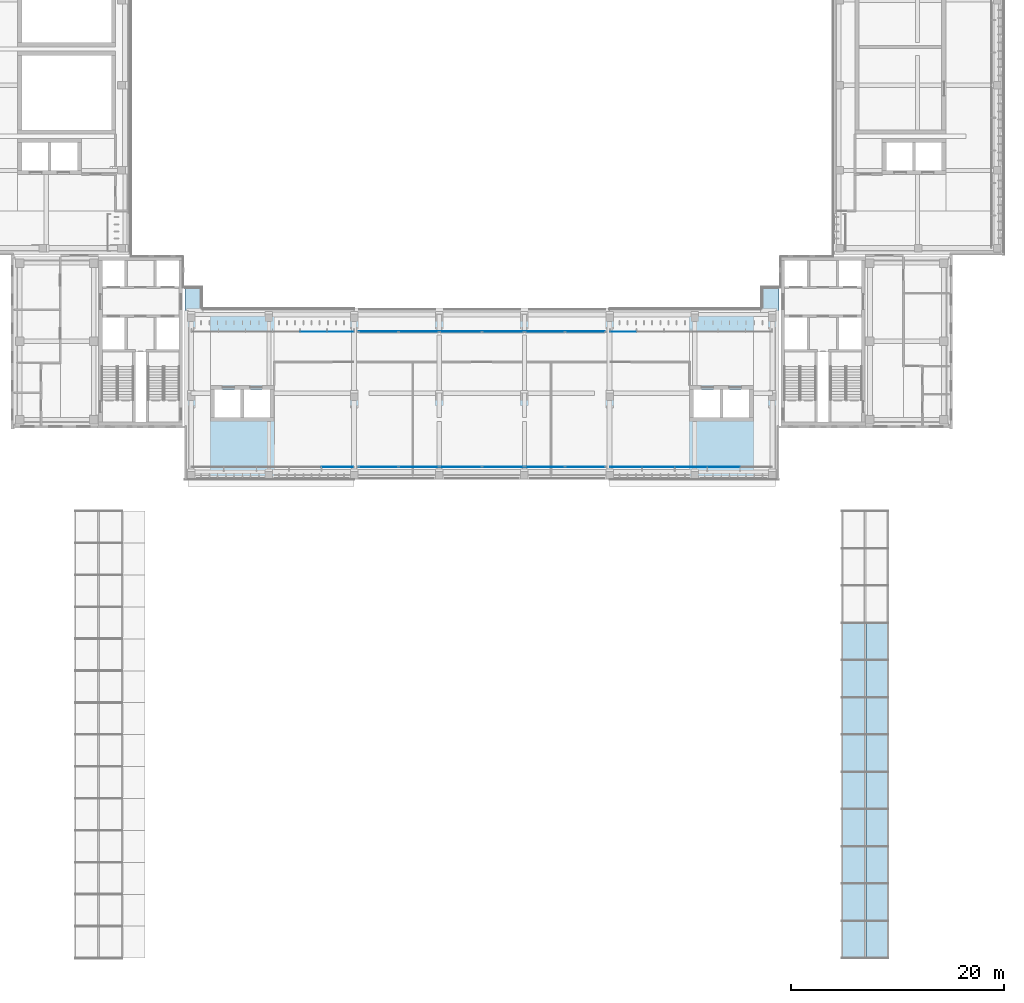
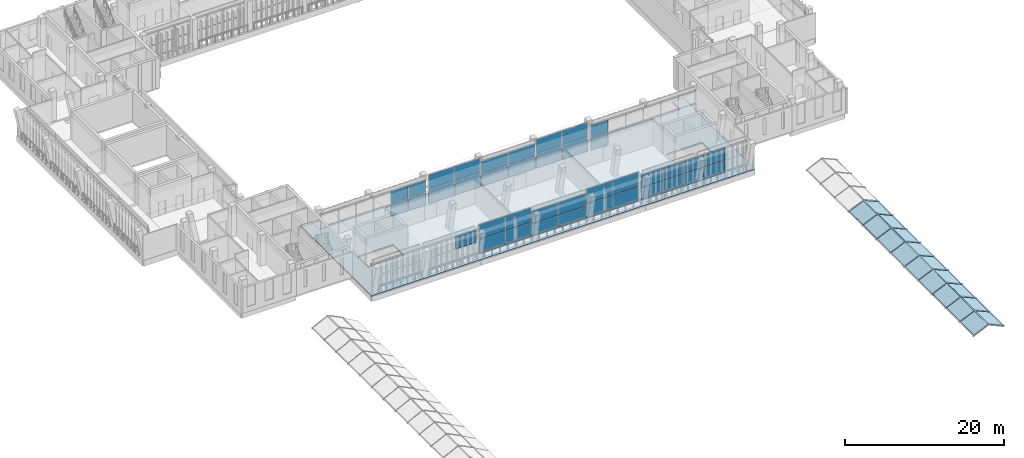
# One storey, part 38 of 73: 57 plates, 1 slab, 11 elements without a shape of their own.
"""IFC4 building model written with IfcOpenShell, lengths in metres."""

import ifcopenshell
import ifcopenshell.guid

model = None  # the IFC model being written
_history = None  # IfcOwnerHistory: only IFC2X3 demands one
_inside = {}  # id of a spatial element -> (the spatial element, [elements in it])
_under = {}  # id of a project, library or spatial element -> (it, [spatial elements below it])
_declared = {}  # id of a project -> (the project, [libraries it declares])
_typed = {}  # id of a type object -> (the type object, [elements of that type])
_made_of = {}  # id of a material, layer set ... -> (it, [elements and type objects made of it])


def new_model(schema):
    """Start an empty IFC model of exactly this schema.

    Asked for "IFC4X3", IfcOpenShell would pick the latest addendum, in which some entities
    have other attributes; the version numbers below select the first issue.
    IFC2X3 requires an IfcOwnerHistory on every rooted entity: one is made here for all.
    """
    global model, _history
    if schema == "IFC4X3":
        model = ifcopenshell.file(schema_version=(4, 3, 0, 0))
    else:
        model = ifcopenshell.file(schema=schema)
    _inside.clear()
    _under.clear()
    _declared.clear()
    _typed.clear()
    _made_of.clear()
    _history = None
    if model.schema == "IFC2X3":
        org = make("IfcOrganization", Name="unknown")
        user = make(
            "IfcPersonAndOrganization",
            ThePerson=make("IfcPerson", FamilyName="unknown"),
            TheOrganization=org,
        )
        app = make(
            "IfcApplication",
            ApplicationDeveloper=org,
            Version="unknown",
            ApplicationFullName="unknown",
            ApplicationIdentifier="unknown",
        )
        _history = make(
            "IfcOwnerHistory",
            OwningUser=user,
            OwningApplication=app,
            ChangeAction="ADDED",
            CreationDate=0,
        )
    return model


def make(cls, **values):
    """One entity of the class cls with the attributes given. An attribute that is None is left unset."""
    return model.create_entity(
        cls, **{name: value for name, value in values.items() if value is not None}
    )


def rooted(cls, **values):
    """An entity with a GlobalId (a new one), such as an element, a storey or a relation."""
    return make(cls, GlobalId=ifcopenshell.guid.new(), OwnerHistory=_history, **values)


def si_unit(unit_type, name, prefix=None):
    """IfcSIUnit, for example si_unit("LENGTHUNIT", "METRE", prefix="MILLI")."""
    return make("IfcSIUnit", UnitType=unit_type, Prefix=prefix, Name=name)


def assignment(units):
    """IfcUnitAssignment: the units of a project."""
    return None if units is None else make("IfcUnitAssignment", Units=units)


def point(xyz):
    """IfcCartesianPoint."""
    return None if xyz is None else make("IfcCartesianPoint", Coordinates=xyz)


def direction(xyz):
    """IfcDirection."""
    return None if xyz is None else make("IfcDirection", DirectionRatios=xyz)


def frame(location, z_axis=None, x_axis=None):
    """IfcAxis2Placement3D, a coordinate frame: its origin and axes. An axis left out is left unset."""
    return make(
        "IfcAxis2Placement3D",
        Location=point(location),
        Axis=direction(z_axis),
        RefDirection=direction(x_axis),
    )


def frame_2d(location, x_axis=None):
    """IfcAxis2Placement2D, a coordinate frame in the plane: its origin and x axis."""
    return make(
        "IfcAxis2Placement2D", Location=point(location), RefDirection=direction(x_axis)
    )


def origin():
    """The frame at (0, 0, 0) with its axes left unset."""
    return frame((0.0, 0.0, 0.0))


def origin_2d():
    """The frame at (0, 0) in the plane with its x axis left unset."""
    return frame_2d((0.0, 0.0))


def place(relative_to, where):
    """IfcLocalPlacement: puts the frame where relative to a parent placement (None: the world)."""
    return make(
        "IfcLocalPlacement", PlacementRelTo=relative_to, RelativePlacement=where
    )


def context(
    kind, dimensions, precision=None, world=None, true_north=None, identifier=None
):
    """IfcGeometricRepresentationContext, for example the 3D "Model" context."""
    return make(
        "IfcGeometricRepresentationContext",
        ContextIdentifier=identifier,
        ContextType=kind,
        CoordinateSpaceDimension=dimensions,
        Precision=precision,
        WorldCoordinateSystem=world,
        TrueNorth=true_north,
    )


def subcontext(parent, identifier, kind, view, scale=None):
    """IfcGeometricRepresentationSubContext, for example "Body" below "Model"."""
    return make(
        "IfcGeometricRepresentationSubContext",
        ContextIdentifier=identifier,
        ContextType=kind,
        ParentContext=parent,
        TargetScale=scale,
        TargetView=view,
    )


def project(units=None, contexts=None):
    """IfcProject with its units and contexts."""
    return rooted(
        "IfcProject",
        Name="project",
        RepresentationContexts=contexts,
        UnitsInContext=assignment(units),
    )


def spatial(cls, under=None, at=None, **own):
    """A site, building, storey or space (cls), placed at a placement, below another one or the project."""
    s = rooted(cls, ObjectPlacement=at, **own)
    if under is not None:
        _under.setdefault(under.id(), (under, []))[1].append(s)
    return s


def polyline(points):
    """IfcPolyline through the points."""
    return make("IfcPolyline", Points=[point(p) for p in points])


def profile(cls, at=None, kind="AREA", **sizes):
    """A parametric profile (cls). Its sizes go by their IFC names, for example OverallWidth=200.0."""
    return make(cls, ProfileType=kind, Position=at, **sizes)


def rectangle(**sizes):
    """IfcRectangleProfileDef."""
    return profile("IfcRectangleProfileDef", **sizes)


def outline(outer, holes=None, kind="AREA"):
    """IfcArbitraryClosedProfileDef: a profile drawn as a closed curve; with holes, ...WithVoids."""
    if holes is None:
        return make("IfcArbitraryClosedProfileDef", ProfileType=kind, OuterCurve=outer)
    return make(
        "IfcArbitraryProfileDefWithVoids",
        ProfileType=kind,
        OuterCurve=outer,
        InnerCurves=holes,
    )


def extrude(swept, where, along, depth):
    """IfcExtrudedAreaSolid: the profile swept, set in the frame where, extruded along a direction by depth."""
    return make(
        "IfcExtrudedAreaSolid",
        SweptArea=swept,
        Position=where,
        ExtrudedDirection=direction(along),
        Depth=depth,
    )


def shape(context_of_items, identifier, shape_type, items):
    """IfcShapeRepresentation: the items that make up one representation, for example the "Body"."""
    return make(
        "IfcShapeRepresentation",
        ContextOfItems=context_of_items,
        RepresentationIdentifier=identifier,
        RepresentationType=shape_type,
        Items=items,
    )


def material(Name=None, Category=None):
    """IfcMaterial."""
    return make("IfcMaterial", Name=Name, Category=Category)


def layer(
    of_material, thickness, ventilated=None, Name=None, Category=None, Priority=None
):
    """IfcMaterialLayer: one layer of a wall or slab, of a material (None: an air gap)."""
    return make(
        "IfcMaterialLayer",
        Material=of_material,
        LayerThickness=thickness,
        IsVentilated=ventilated,
        Name=Name,
        Category=Category,
        Priority=Priority,
    )


def layer_set(layers, Name=None):
    """IfcMaterialLayerSet."""
    return make("IfcMaterialLayerSet", MaterialLayers=layers, LayerSetName=Name)


def made_of(thing, what):
    """Note that an element or type object is made of a material, layer set ...; save() writes the relation."""
    if what is not None:
        _made_of.setdefault(what.id(), (what, []))[1].append(thing)
    return thing


def type_object(cls, material=None, **own):
    """A type object (cls), such as IfcWallType, which elements share."""
    return made_of(rooted(cls, **own), material)


def element(
    cls,
    number,
    at=None,
    inside=None,
    cuts=None,
    type_object=None,
    material=None,
    context=None,
    identifier="Body",
    shape_type=None,
    held_by="IfcProductDefinitionShape",
    body=None,
    shapes=None,
    **own,
):
    """One element of the class cls, such as IfcWall. Its Tag is "e" and its number.

    at: its placement. inside: the storey or other place that contains it. cuts: it is an
    opening in that element (IfcRelVoidsElement). A single representation is given by context,
    identifier, shape_type and body (its items); several are given by shapes. held_by: the class
    of the entity that holds the representations. save() writes the other relations.
    """
    e = rooted(cls, Tag="e%d" % number, ObjectPlacement=at, **own)
    if body is not None:
        shapes = [shape(context, identifier, shape_type, body)]
    if shapes is not None:
        e.Representation = make(held_by, Representations=shapes)
    if inside is not None:
        _inside.setdefault(inside.id(), (inside, []))[1].append(e)
    if cuts is not None:
        rooted(
            "IfcRelVoidsElement", RelatingBuildingElement=cuts, RelatedOpeningElement=e
        )
    if type_object is not None:
        _typed.setdefault(type_object.id(), (type_object, []))[1].append(e)
    return made_of(e, material)


def aggregate(whole, parts):
    """IfcRelAggregates: a whole, such as a stair, and the parts it consists of."""
    return rooted("IfcRelAggregates", RelatingObject=whole, RelatedObjects=parts)


def save(model, path):
    """Write the relations noted so far, then the file.

    IfcRelAggregates (storeys below a building ...), IfcRelContainedInSpatialStructure (elements
    in a storey), IfcRelDefinesByType, IfcRelAssociatesMaterial and IfcRelDeclares: one each for
    every whole, place, type object, material and project.
    """
    for whole, parts in _under.values():
        aggregate(whole, parts)
    for where, things in _inside.values():
        rooted(
            "IfcRelContainedInSpatialStructure",
            RelatedElements=things,
            RelatingStructure=where,
        )
    for kind, things in _typed.values():
        rooted("IfcRelDefinesByType", RelatedObjects=things, RelatingType=kind)
    for what, things in _made_of.values():
        rooted("IfcRelAssociatesMaterial", RelatedObjects=things, RelatingMaterial=what)
    for by, libraries in _declared.values():
        rooted("IfcRelDeclares", RelatingContext=by, RelatedDefinitions=libraries)
    model.write(path)


model = new_model("IFC4")

# Units and contexts
model_context = context("Model", 3, precision=1e-05, world=origin(), true_north=direction((0.0, 1.0)))
body_context = subcontext(model_context, "Body", "Model", "MODEL_VIEW")
ifc_project = project(units=[si_unit("LENGTHUNIT", "METRE"), si_unit("AREAUNIT", "SQUARE_METRE"), si_unit("VOLUMEUNIT", "CUBIC_METRE"), si_unit("PLANEANGLEUNIT", "RADIAN"), si_unit("MASSUNIT", "GRAM", prefix="KILO")], contexts=[model_context])

# Site, building, storey
site_placement = place(None, origin())
site = spatial("IfcSite", under=ifc_project, at=site_placement, CompositionType="ELEMENT")
building_placement = place(site_placement, origin())
building = spatial("IfcBuilding", under=site, at=building_placement, Name="Lantern Court Media Centre", CompositionType="ELEMENT")
storey_placement = place(building_placement, frame((0.0, 0.0, 24.0)))
storey = spatial("IfcBuildingStorey", under=building, at=storey_placement, Name="L05", CompositionType="ELEMENT", Elevation=24.0)

# Curtain wall, plates
ifc_material_1 = material(Name="Curtain wall bay 2400")
curtain_wall_type_1 = type_object("IfcCurtainWallType", Name="Curtain wall bay 2400", PredefinedType="NOTDEFINED", material=ifc_material_1)
curtain_wall_1_placement = place(storey_placement, origin())
curtain_wall_1 = element("IfcCurtainWall", 1, at=curtain_wall_1_placement, inside=storey, type_object=curtain_wall_type_1, Name="Curtain wall S inner L05", PredefinedType="NOTDEFINED")
ifc_material_2 = material(Name="Low-iron double glazed unit glass", Category="glass")
ifc_layer_1 = layer(ifc_material_2, 0.02392578125)
ifc_layer_set_1 = layer_set([ifc_layer_1], Name="Low-iron double glazed unit glass")
plate_type_1 = type_object("IfcPlateType", Name="Curtain wall glazing unit 24", PredefinedType="CURTAIN_PANEL", material=ifc_layer_set_1)
plate_1_placement = place(storey_placement, frame((36.175048828125, 56.85009765625, 0.050048828125), z_axis=(0.0, 0.0, 1.0), x_axis=(1.0, 0.0, 0.0)))
plate_1 = element("IfcPlate", 2, at=plate_1_placement, type_object=plate_type_1, Name="CW2 panel 5.1", PredefinedType="CURTAIN_PANEL", context=body_context, shape_type="SweptSolid", body=[
    extrude(rectangle(XDim=2.5, YDim=0.02392578125, at=origin_2d()), origin(), (0.0, 0.0, 1.0), 1.89990234375),
])
plate_2_placement = place(storey_placement, frame((36.175048828125, 56.85009765625, 2.0), z_axis=(0.0, 0.0, 1.0), x_axis=(1.0, 0.0, 0.0)))
plate_2 = element("IfcPlate", 3, at=plate_2_placement, type_object=plate_type_1, Name="CW2 panel 5.2", PredefinedType="CURTAIN_PANEL", context=body_context, shape_type="SweptSolid", body=[
    extrude(rectangle(XDim=2.5, YDim=0.02392578125, at=origin_2d()), origin(), (0.0, 0.0, 1.0), 1.89990234375),
])
plate_3_placement = place(storey_placement, frame((38.71240234375, 56.85009765625, 0.050048828125), z_axis=(0.0, 0.0, 1.0), x_axis=(1.0, 0.0, 0.0)))
plate_3 = element("IfcPlate", 4, at=plate_3_placement, type_object=plate_type_1, Name="CW2 panel 6.1", PredefinedType="CURTAIN_PANEL", context=body_context, shape_type="SweptSolid", body=[
    extrude(rectangle(XDim=2.47509765625, YDim=0.02392578125, at=origin_2d()), origin(), (0.0, 0.0, 1.0), 1.89990234375),
])
plate_4_placement = place(storey_placement, frame((38.71240234375, 56.85009765625, 2.0), z_axis=(0.0, 0.0, 1.0), x_axis=(1.0, 0.0, 0.0)))
plate_4 = element("IfcPlate", 5, at=plate_4_placement, type_object=plate_type_1, Name="CW2 panel 6.2", PredefinedType="CURTAIN_PANEL", context=body_context, shape_type="SweptSolid", body=[
    extrude(rectangle(XDim=2.47509765625, YDim=0.02392578125, at=origin_2d()), origin(), (0.0, 0.0, 1.0), 1.89990234375),
])
aggregate(curtain_wall_1, [plate_1, plate_2, plate_3, plate_4])

curtain_wall_2_placement = place(storey_placement, origin())
curtain_wall_2 = element("IfcCurtainWall", 6, at=curtain_wall_2_placement, inside=storey, type_object=curtain_wall_type_1, Name="Curtain wall S inner L05", PredefinedType="NOTDEFINED")
plate_5_placement = place(storey_placement, frame((65.28759765625, 56.85009765625, 0.050048828125), z_axis=(0.0, 0.0, 1.0), x_axis=(1.0, 0.0, 0.0)))
plate_5 = element("IfcPlate", 7, at=plate_5_placement, type_object=plate_type_1, Name="CW2 panel 1.1", PredefinedType="CURTAIN_PANEL", context=body_context, shape_type="SweptSolid", body=[
    extrude(rectangle(XDim=2.47509765625, YDim=0.02392578125, at=origin_2d()), origin(), (0.0, 0.0, 1.0), 1.89990234375),
])
plate_6_placement = place(storey_placement, frame((65.28759765625, 56.85009765625, 2.0), z_axis=(0.0, 0.0, 1.0), x_axis=(1.0, 0.0, 0.0)))
plate_6 = element("IfcPlate", 8, at=plate_6_placement, type_object=plate_type_1, Name="CW2 panel 1.2", PredefinedType="CURTAIN_PANEL", context=body_context, shape_type="SweptSolid", body=[
    extrude(rectangle(XDim=2.47509765625, YDim=0.02392578125, at=origin_2d()), origin(), (0.0, 0.0, 1.0), 1.89990234375),
])
aggregate(curtain_wall_2, [plate_5, plate_6])

# Curtain wall, plate
ifc_material_3 = material(Name="Curtain wall bay 3000")
curtain_wall_type_2 = type_object("IfcCurtainWallType", Name="Curtain wall bay 3000", PredefinedType="NOTDEFINED", material=ifc_material_3)
curtain_wall_3_placement = place(storey_placement, origin())
curtain_wall_3 = element("IfcCurtainWall", 9, at=curtain_wall_3_placement, inside=storey, type_object=curtain_wall_type_2, Name="Curtain wall S outer L05", PredefinedType="NOTDEFINED")
ifc_layer_2 = layer(ifc_material_2, 0.028076171875)
ifc_layer_set_2 = layer_set([ifc_layer_2], Name="Low-iron double glazed unit glass")
plate_type_2 = type_object("IfcPlateType", Name="Curtain wall glazing unit 28", PredefinedType="CURTAIN_PANEL", material=ifc_layer_set_2)
plate_7_placement = place(storey_placement, frame((38.455078125, 44.14990234375, 2.0048828125), z_axis=(0.0, 0.0, 1.0), x_axis=(1.0, 0.0, 0.0)))
plate_7 = element("IfcPlate", 10, at=plate_7_placement, type_object=plate_type_2, Name="CW1 panel 5.2", PredefinedType="CURTAIN_PANEL", context=body_context, shape_type="SweptSolid", body=[
    extrude(rectangle(XDim=2.969970703125, YDim=0.028076171875, at=origin_2d()), origin(), (0.0, 0.0, 1.0), 1.885009765625),
])
aggregate(curtain_wall_3, [plate_7])

# Curtain wall, plates
curtain_wall_4_placement = place(storey_placement, origin())
curtain_wall_4 = element("IfcCurtainWall", 11, at=curtain_wall_4_placement, inside=storey, type_object=curtain_wall_type_2, Name="Curtain wall S outer L05", PredefinedType="NOTDEFINED")
plate_8_placement = place(storey_placement, frame((65.544921875, 44.14990234375, 0.06005859375), z_axis=(0.0, 0.0, 1.0), x_axis=(1.0, 0.0, 0.0)))
plate_8 = element("IfcPlate", 12, at=plate_8_placement, type_object=plate_type_2, Name="CW1 panel 1.1", PredefinedType="CURTAIN_PANEL", context=body_context, shape_type="SweptSolid", body=[
    extrude(rectangle(XDim=2.969970703125, YDim=0.028076171875, at=origin_2d()), origin(), (0.0, 0.0, 1.0), 1.885009765625),
])
plate_9_placement = place(storey_placement, frame((65.544921875, 44.14990234375, 2.0048828125), z_axis=(0.0, 0.0, 1.0), x_axis=(1.0, 0.0, 0.0)))
plate_9 = element("IfcPlate", 13, at=plate_9_placement, type_object=plate_type_2, Name="CW1 panel 1.2", PredefinedType="CURTAIN_PANEL", context=body_context, shape_type="SweptSolid", body=[
    extrude(rectangle(XDim=2.969970703125, YDim=0.028076171875, at=origin_2d()), origin(), (0.0, 0.0, 1.0), 1.885009765625),
])
plate_10_placement = place(storey_placement, frame((68.590087890625, 44.14990234375, 0.06005859375), z_axis=(0.0, 0.0, 1.0), x_axis=(1.0, 0.0, 0.0)))
plate_10 = element("IfcPlate", 14, at=plate_10_placement, type_object=plate_type_2, Name="CW1 panel 2.1", PredefinedType="CURTAIN_PANEL", context=body_context, shape_type="SweptSolid", body=[
    extrude(rectangle(XDim=3.0, YDim=0.028076171875, at=origin_2d()), origin(), (0.0, 0.0, 1.0), 1.885009765625),
])
plate_11_placement = place(storey_placement, frame((68.590087890625, 44.14990234375, 2.0048828125), z_axis=(0.0, 0.0, 1.0), x_axis=(1.0, 0.0, 0.0)))
plate_11 = element("IfcPlate", 15, at=plate_11_placement, type_object=plate_type_2, Name="CW1 panel 2.2", PredefinedType="CURTAIN_PANEL", context=body_context, shape_type="SweptSolid", body=[
    extrude(rectangle(XDim=3.0, YDim=0.028076171875, at=origin_2d()), origin(), (0.0, 0.0, 1.0), 1.885009765625),
])
plate_12_placement = place(storey_placement, frame((71.64990234375, 44.14990234375, 0.06005859375), z_axis=(0.0, 0.0, 1.0), x_axis=(1.0, 0.0, 0.0)))
plate_12 = element("IfcPlate", 16, at=plate_12_placement, type_object=plate_type_2, Name="CW1 panel 3.1", PredefinedType="CURTAIN_PANEL", context=body_context, shape_type="SweptSolid", body=[
    extrude(rectangle(XDim=3.0, YDim=0.028076171875, at=origin_2d()), origin(), (0.0, 0.0, 1.0), 1.885009765625),
])
plate_13_placement = place(storey_placement, frame((71.64990234375, 44.14990234375, 2.0048828125), z_axis=(0.0, 0.0, 1.0), x_axis=(1.0, 0.0, 0.0)))
plate_13 = element("IfcPlate", 17, at=plate_13_placement, type_object=plate_type_2, Name="CW1 panel 3.2", PredefinedType="CURTAIN_PANEL", context=body_context, shape_type="SweptSolid", body=[
    extrude(rectangle(XDim=3.0, YDim=0.028076171875, at=origin_2d()), origin(), (0.0, 0.0, 1.0), 1.885009765625),
])
plate_14_placement = place(storey_placement, frame((74.7099609375, 44.14990234375, 0.06005859375), z_axis=(0.0, 0.0, 1.0), x_axis=(1.0, 0.0, 0.0)))
plate_14 = element("IfcPlate", 18, at=plate_14_placement, type_object=plate_type_2, Name="CW1 panel 4.1", PredefinedType="CURTAIN_PANEL", context=body_context, shape_type="SweptSolid", body=[
    extrude(rectangle(XDim=3.0, YDim=0.028076171875, at=origin_2d()), origin(), (0.0, 0.0, 1.0), 1.885009765625),
])
plate_15_placement = place(storey_placement, frame((74.7099609375, 44.14990234375, 2.0048828125), z_axis=(0.0, 0.0, 1.0), x_axis=(1.0, 0.0, 0.0)))
plate_15 = element("IfcPlate", 19, at=plate_15_placement, type_object=plate_type_2, Name="CW1 panel 4.2", PredefinedType="CURTAIN_PANEL", context=body_context, shape_type="SweptSolid", body=[
    extrude(rectangle(XDim=3.0, YDim=0.028076171875, at=origin_2d()), origin(), (0.0, 0.0, 1.0), 1.885009765625),
])
aggregate(curtain_wall_4, [plate_8, plate_9, plate_10, plate_11, plate_12, plate_13, plate_14, plate_15])

ifc_material_4 = material(Name="Curtain wall bay 4000")
curtain_wall_type_3 = type_object("IfcCurtainWallType", Name="Curtain wall bay 4000", PredefinedType="NOTDEFINED", material=ifc_material_4)
curtain_wall_5_placement = place(storey_placement, origin())
curtain_wall_5 = element("IfcCurtainWall", 20, at=curtain_wall_5_placement, inside=storey, type_object=curtain_wall_type_3, Name="Curtain wall S outer L05", PredefinedType="NOTDEFINED")
ifc_material_5 = material(Name="Laminated low-iron glass", Category="glass")
ifc_layer_3 = layer(ifc_material_5, 0.0400390625)
ifc_layer_set_3 = layer_set([ifc_layer_3], Name="Laminated low-iron glass")
plate_type_3 = type_object("IfcPlateType", Name="Curtain wall glazing unit 40", PredefinedType="CURTAIN_PANEL", material=ifc_layer_set_3)
plate_16_placement = place(storey_placement, frame((42.282470703125, 44.14990234375, 0.080078125), z_axis=(0.0, 0.0, 1.0), x_axis=(1.0, 0.0, 0.0)))
plate_16 = element("IfcPlate", 21, at=plate_16_placement, type_object=plate_type_3, Name="CW3 panel 1.1", PredefinedType="CURTAIN_PANEL", context=body_context, shape_type="SweptSolid", body=[
    extrude(rectangle(XDim=3.705078125, YDim=0.0400390625, at=origin_2d()), origin(), (0.0, 0.0, 1.0), 2.169921875),
])
plate_17_placement = place(storey_placement, frame((42.282470703125, 44.14990234375, 2.330078125), z_axis=(0.0, 0.0, 1.0), x_axis=(1.0, 0.0, 0.0)))
plate_17 = element("IfcPlate", 22, at=plate_17_placement, type_object=plate_type_3, Name="CW3 panel 1.2", PredefinedType="CURTAIN_PANEL", context=body_context, shape_type="SweptSolid", body=[
    extrude(rectangle(XDim=3.705078125, YDim=0.0400390625, at=origin_2d()), origin(), (0.0, 0.0, 1.0), 2.169921875),
])
plate_18_placement = place(storey_placement, frame((46.0673828125, 44.14990234375, 0.080078125), z_axis=(0.0, 0.0, 1.0), x_axis=(1.0, 0.0, 0.0)))
plate_18 = element("IfcPlate", 23, at=plate_18_placement, type_object=plate_type_3, Name="CW3 panel 2.1", PredefinedType="CURTAIN_PANEL", context=body_context, shape_type="SweptSolid", body=[
    extrude(rectangle(XDim=3.705078125, YDim=0.0400390625, at=origin_2d()), origin(), (0.0, 0.0, 1.0), 2.169921875),
])
plate_19_placement = place(storey_placement, frame((46.0673828125, 44.14990234375, 2.330078125), z_axis=(0.0, 0.0, 1.0), x_axis=(1.0, 0.0, 0.0)))
plate_19 = element("IfcPlate", 24, at=plate_19_placement, type_object=plate_type_3, Name="CW3 panel 2.2", PredefinedType="CURTAIN_PANEL", context=body_context, shape_type="SweptSolid", body=[
    extrude(rectangle(XDim=3.705078125, YDim=0.0400390625, at=origin_2d()), origin(), (0.0, 0.0, 1.0), 2.169921875),
])
aggregate(curtain_wall_5, [plate_16, plate_17, plate_18, plate_19])

curtain_wall_6_placement = place(storey_placement, origin())
curtain_wall_6 = element("IfcCurtainWall", 25, at=curtain_wall_6_placement, inside=storey, type_object=curtain_wall_type_3, Name="Curtain wall S outer L05", PredefinedType="NOTDEFINED")
plate_20_placement = place(storey_placement, frame((50.02001953125, 44.14990234375, 0.080078125), z_axis=(0.0, 0.0, 1.0), x_axis=(1.0, 0.0, 0.0)))
plate_20 = element("IfcPlate", 26, at=plate_20_placement, type_object=plate_type_3, Name="CW3 panel 1.1", PredefinedType="CURTAIN_PANEL", context=body_context, shape_type="SweptSolid", body=[
    extrude(rectangle(XDim=3.8798828125, YDim=0.0400390625, at=origin_2d()), origin(), (0.0, 0.0, 1.0), 1.85498046875),
])
plate_21_placement = place(storey_placement, frame((50.02001953125, 44.14990234375, 2.014892578125), z_axis=(0.0, 0.0, 1.0), x_axis=(1.0, 0.0, 0.0)))
plate_21 = element("IfcPlate", 27, at=plate_21_placement, type_object=plate_type_3, Name="CW3 panel 1.2", PredefinedType="CURTAIN_PANEL", context=body_context, shape_type="SweptSolid", body=[
    extrude(rectangle(XDim=3.8798828125, YDim=0.0400390625, at=origin_2d()), origin(), (0.0, 0.0, 1.0), 1.85498046875),
])
plate_22_placement = place(storey_placement, frame((53.97998046875, 44.14990234375, 0.080078125), z_axis=(0.0, 0.0, 1.0), x_axis=(1.0, 0.0, 0.0)))
plate_22 = element("IfcPlate", 28, at=plate_22_placement, type_object=plate_type_3, Name="CW3 panel 2.1", PredefinedType="CURTAIN_PANEL", context=body_context, shape_type="SweptSolid", body=[
    extrude(rectangle(XDim=3.8798828125, YDim=0.0400390625, at=origin_2d()), origin(), (0.0, 0.0, 1.0), 1.85498046875),
])
plate_23_placement = place(storey_placement, frame((53.97998046875, 44.14990234375, 2.014892578125), z_axis=(0.0, 0.0, 1.0), x_axis=(1.0, 0.0, 0.0)))
plate_23 = element("IfcPlate", 29, at=plate_23_placement, type_object=plate_type_3, Name="CW3 panel 2.2", PredefinedType="CURTAIN_PANEL", context=body_context, shape_type="SweptSolid", body=[
    extrude(rectangle(XDim=3.8798828125, YDim=0.0400390625, at=origin_2d()), origin(), (0.0, 0.0, 1.0), 1.85498046875),
])
aggregate(curtain_wall_6, [plate_20, plate_21, plate_22, plate_23])

curtain_wall_7_placement = place(storey_placement, origin())
curtain_wall_7 = element("IfcCurtainWall", 30, at=curtain_wall_7_placement, inside=storey, type_object=curtain_wall_type_3, Name="Curtain wall S outer L05", PredefinedType="NOTDEFINED")
plate_24_placement = place(storey_placement, frame((57.9326171875, 44.14990234375, 0.080078125), z_axis=(0.0, 0.0, 1.0), x_axis=(1.0, 0.0, 0.0)))
plate_24 = element("IfcPlate", 31, at=plate_24_placement, type_object=plate_type_3, Name="CW3 panel 1.1", PredefinedType="CURTAIN_PANEL", context=body_context, shape_type="SweptSolid", body=[
    extrude(rectangle(XDim=3.705078125, YDim=0.0400390625, at=origin_2d()), origin(), (0.0, 0.0, 1.0), 2.169921875),
])
plate_25_placement = place(storey_placement, frame((57.9326171875, 44.14990234375, 2.330078125), z_axis=(0.0, 0.0, 1.0), x_axis=(1.0, 0.0, 0.0)))
plate_25 = element("IfcPlate", 32, at=plate_25_placement, type_object=plate_type_3, Name="CW3 panel 1.2", PredefinedType="CURTAIN_PANEL", context=body_context, shape_type="SweptSolid", body=[
    extrude(rectangle(XDim=3.705078125, YDim=0.0400390625, at=origin_2d()), origin(), (0.0, 0.0, 1.0), 2.169921875),
])
plate_26_placement = place(storey_placement, frame((61.717529296875, 44.14990234375, 0.080078125), z_axis=(0.0, 0.0, 1.0), x_axis=(1.0, 0.0, 0.0)))
plate_26 = element("IfcPlate", 33, at=plate_26_placement, type_object=plate_type_3, Name="CW3 panel 2.1", PredefinedType="CURTAIN_PANEL", context=body_context, shape_type="SweptSolid", body=[
    extrude(rectangle(XDim=3.705078125, YDim=0.0400390625, at=origin_2d()), origin(), (0.0, 0.0, 1.0), 2.169921875),
])
plate_27_placement = place(storey_placement, frame((61.717529296875, 44.14990234375, 2.330078125), z_axis=(0.0, 0.0, 1.0), x_axis=(1.0, 0.0, 0.0)))
plate_27 = element("IfcPlate", 34, at=plate_27_placement, type_object=plate_type_3, Name="CW3 panel 2.2", PredefinedType="CURTAIN_PANEL", context=body_context, shape_type="SweptSolid", body=[
    extrude(rectangle(XDim=3.705078125, YDim=0.0400390625, at=origin_2d()), origin(), (0.0, 0.0, 1.0), 2.169921875),
])
aggregate(curtain_wall_7, [plate_24, plate_25, plate_26, plate_27])

curtain_wall_8_placement = place(storey_placement, origin())
curtain_wall_8 = element("IfcCurtainWall", 35, at=curtain_wall_8_placement, inside=storey, type_object=curtain_wall_type_3, Name="Curtain wall S inner L05", PredefinedType="NOTDEFINED")
plate_28_placement = place(storey_placement, frame((42.282470703125, 56.85009765625, 0.080078125), z_axis=(0.0, 0.0, 1.0), x_axis=(1.0, 0.0, 0.0)))
plate_28 = element("IfcPlate", 36, at=plate_28_placement, type_object=plate_type_3, Name="CW3 panel 1.1", PredefinedType="CURTAIN_PANEL", context=body_context, shape_type="SweptSolid", body=[
    extrude(rectangle(XDim=3.705078125, YDim=0.0400390625, at=origin_2d()), origin(), (0.0, 0.0, 1.0), 2.169921875),
])
plate_29_placement = place(storey_placement, frame((42.282470703125, 56.85009765625, 2.330078125), z_axis=(0.0, 0.0, 1.0), x_axis=(1.0, 0.0, 0.0)))
plate_29 = element("IfcPlate", 37, at=plate_29_placement, type_object=plate_type_3, Name="CW3 panel 1.2", PredefinedType="CURTAIN_PANEL", context=body_context, shape_type="SweptSolid", body=[
    extrude(rectangle(XDim=3.705078125, YDim=0.0400390625, at=origin_2d()), origin(), (0.0, 0.0, 1.0), 2.169921875),
])
plate_30_placement = place(storey_placement, frame((46.0673828125, 56.85009765625, 0.080078125), z_axis=(0.0, 0.0, 1.0), x_axis=(1.0, 0.0, 0.0)))
plate_30 = element("IfcPlate", 38, at=plate_30_placement, type_object=plate_type_3, Name="CW3 panel 2.1", PredefinedType="CURTAIN_PANEL", context=body_context, shape_type="SweptSolid", body=[
    extrude(rectangle(XDim=3.705078125, YDim=0.0400390625, at=origin_2d()), origin(), (0.0, 0.0, 1.0), 2.169921875),
])
plate_31_placement = place(storey_placement, frame((46.0673828125, 56.85009765625, 2.330078125), z_axis=(0.0, 0.0, 1.0), x_axis=(1.0, 0.0, 0.0)))
plate_31 = element("IfcPlate", 39, at=plate_31_placement, type_object=plate_type_3, Name="CW3 panel 2.2", PredefinedType="CURTAIN_PANEL", context=body_context, shape_type="SweptSolid", body=[
    extrude(rectangle(XDim=3.705078125, YDim=0.0400390625, at=origin_2d()), origin(), (0.0, 0.0, 1.0), 2.169921875),
])
aggregate(curtain_wall_8, [plate_28, plate_29, plate_30, plate_31])

curtain_wall_9_placement = place(storey_placement, origin())
curtain_wall_9 = element("IfcCurtainWall", 40, at=curtain_wall_9_placement, inside=storey, type_object=curtain_wall_type_3, Name="Curtain wall S inner L05", PredefinedType="NOTDEFINED")
plate_32_placement = place(storey_placement, frame((50.02001953125, 56.85009765625, 0.080078125), z_axis=(0.0, 0.0, 1.0), x_axis=(1.0, 0.0, 0.0)))
plate_32 = element("IfcPlate", 41, at=plate_32_placement, type_object=plate_type_3, Name="CW3 panel 1.1", PredefinedType="CURTAIN_PANEL", context=body_context, shape_type="SweptSolid", body=[
    extrude(rectangle(XDim=3.8798828125, YDim=0.0400390625, at=origin_2d()), origin(), (0.0, 0.0, 1.0), 1.85498046875),
])
plate_33_placement = place(storey_placement, frame((50.02001953125, 56.85009765625, 2.014892578125), z_axis=(0.0, 0.0, 1.0), x_axis=(1.0, 0.0, 0.0)))
plate_33 = element("IfcPlate", 42, at=plate_33_placement, type_object=plate_type_3, Name="CW3 panel 1.2", PredefinedType="CURTAIN_PANEL", context=body_context, shape_type="SweptSolid", body=[
    extrude(rectangle(XDim=3.8798828125, YDim=0.0400390625, at=origin_2d()), origin(), (0.0, 0.0, 1.0), 1.85498046875),
])
plate_34_placement = place(storey_placement, frame((53.97998046875, 56.85009765625, 0.080078125), z_axis=(0.0, 0.0, 1.0), x_axis=(1.0, 0.0, 0.0)))
plate_34 = element("IfcPlate", 43, at=plate_34_placement, type_object=plate_type_3, Name="CW3 panel 2.1", PredefinedType="CURTAIN_PANEL", context=body_context, shape_type="SweptSolid", body=[
    extrude(rectangle(XDim=3.8798828125, YDim=0.0400390625, at=origin_2d()), origin(), (0.0, 0.0, 1.0), 1.85498046875),
])
plate_35_placement = place(storey_placement, frame((53.97998046875, 56.85009765625, 2.014892578125), z_axis=(0.0, 0.0, 1.0), x_axis=(1.0, 0.0, 0.0)))
plate_35 = element("IfcPlate", 44, at=plate_35_placement, type_object=plate_type_3, Name="CW3 panel 2.2", PredefinedType="CURTAIN_PANEL", context=body_context, shape_type="SweptSolid", body=[
    extrude(rectangle(XDim=3.8798828125, YDim=0.0400390625, at=origin_2d()), origin(), (0.0, 0.0, 1.0), 1.85498046875),
])
aggregate(curtain_wall_9, [plate_32, plate_33, plate_34, plate_35])

curtain_wall_10_placement = place(storey_placement, origin())
curtain_wall_10 = element("IfcCurtainWall", 45, at=curtain_wall_10_placement, inside=storey, type_object=curtain_wall_type_3, Name="Curtain wall S inner L05", PredefinedType="NOTDEFINED")
plate_36_placement = place(storey_placement, frame((57.9326171875, 56.85009765625, 0.080078125), z_axis=(0.0, 0.0, 1.0), x_axis=(1.0, 0.0, 0.0)))
plate_36 = element("IfcPlate", 46, at=plate_36_placement, type_object=plate_type_3, Name="CW3 panel 1.1", PredefinedType="CURTAIN_PANEL", context=body_context, shape_type="SweptSolid", body=[
    extrude(rectangle(XDim=3.705078125, YDim=0.0400390625, at=origin_2d()), origin(), (0.0, 0.0, 1.0), 2.169921875),
])
plate_37_placement = place(storey_placement, frame((57.9326171875, 56.85009765625, 2.330078125), z_axis=(0.0, 0.0, 1.0), x_axis=(1.0, 0.0, 0.0)))
plate_37 = element("IfcPlate", 47, at=plate_37_placement, type_object=plate_type_3, Name="CW3 panel 1.2", PredefinedType="CURTAIN_PANEL", context=body_context, shape_type="SweptSolid", body=[
    extrude(rectangle(XDim=3.705078125, YDim=0.0400390625, at=origin_2d()), origin(), (0.0, 0.0, 1.0), 2.169921875),
])
plate_38_placement = place(storey_placement, frame((61.717529296875, 56.85009765625, 0.080078125), z_axis=(0.0, 0.0, 1.0), x_axis=(1.0, 0.0, 0.0)))
plate_38 = element("IfcPlate", 48, at=plate_38_placement, type_object=plate_type_3, Name="CW3 panel 2.1", PredefinedType="CURTAIN_PANEL", context=body_context, shape_type="SweptSolid", body=[
    extrude(rectangle(XDim=3.705078125, YDim=0.0400390625, at=origin_2d()), origin(), (0.0, 0.0, 1.0), 2.169921875),
])
plate_39_placement = place(storey_placement, frame((61.717529296875, 56.85009765625, 2.330078125), z_axis=(0.0, 0.0, 1.0), x_axis=(1.0, 0.0, 0.0)))
plate_39 = element("IfcPlate", 49, at=plate_39_placement, type_object=plate_type_3, Name="CW3 panel 2.2", PredefinedType="CURTAIN_PANEL", context=body_context, shape_type="SweptSolid", body=[
    extrude(rectangle(XDim=3.705078125, YDim=0.0400390625, at=origin_2d()), origin(), (0.0, 0.0, 1.0), 2.169921875),
])
aggregate(curtain_wall_10, [plate_36, plate_37, plate_38, plate_39])

ifc_material_6 = material(Name="Aluminium and glass", Category="aluminium")
ifc_layer_4 = layer(ifc_material_6, 0.14990234375)
ifc_layer_set_4 = layer_set([ifc_layer_4], Name="Aluminium and glass")
curtain_wall_type_4 = type_object("IfcCurtainWallType", Name="Hall lancet glazing", PredefinedType="NOTDEFINED", material=ifc_layer_set_4)
curtain_wall_11_placement = place(storey_placement, origin())
curtain_wall_11 = element("IfcCurtainWall", 50, at=curtain_wall_11_placement, inside=storey, type_object=curtain_wall_type_4, Name="Studio Hall ridge roof-light", PredefinedType="NOTDEFINED")
ifc_material_7 = material(Name="Laminated glass 8+8", Category="glass")
ifc_layer_5 = layer(ifc_material_7, 0.06005859375)
ifc_layer_set_5 = layer_set([ifc_layer_5], Name="Laminated glass 8+8")
plate_type_4 = type_object("IfcPlateType", Name="Hall roof-light glazing", PredefinedType="CURTAIN_PANEL", material=ifc_layer_set_5)
placement = place(building_placement, frame((0.0, 0.0, 19.199951171875)))
plate_40_placement = place(placement, frame((85.87744140625, -1.969970703125, 4.38671875), z_axis=(-0.408178350475, 0.0, 0.912902204074), x_axis=(0.912902204074, 0.0, 0.408178350475)))
plate_40 = element("IfcPlate", 51, at=plate_40_placement, type_object=plate_type_4, Name="Studio Hall roof-light panel", PredefinedType="CURTAIN_PANEL", context=body_context, shape_type="SweptSolid", body=[
    extrude(outline(polyline([(0.0, 0.0), (2.2531271766514522, 0.0), (2.2531271766514522, 3.43994140625), (0.0, 3.43994140625), (0.0, 0.0)])), origin(), (0.0, 0.0, -1.0), 0.06005859375),
])
plate_41_placement = place(placement, frame((85.87744140625, 1.530029296875, 4.38671875), z_axis=(-0.408178350475, 0.0, 0.912902204074), x_axis=(0.912902204074, 0.0, 0.408178350475)))
plate_41 = element("IfcPlate", 52, at=plate_41_placement, type_object=plate_type_4, Name="Studio Hall roof-light panel", PredefinedType="CURTAIN_PANEL", context=body_context, shape_type="SweptSolid", body=[
    extrude(outline(polyline([(0.0, 0.0), (2.2531271766514522, 0.0), (2.2531271766514522, 3.43994140625), (0.0, 3.43994140625), (0.0, 0.0)])), origin(), (0.0, 0.0, -1.0), 0.06005859375),
])
plate_42_placement = place(placement, frame((85.87744140625, 5.030029296875, 4.38671875), z_axis=(-0.408178350475, 0.0, 0.912902204074), x_axis=(0.912902204074, 0.0, 0.408178350475)))
plate_42 = element("IfcPlate", 53, at=plate_42_placement, type_object=plate_type_4, Name="Studio Hall roof-light panel", PredefinedType="CURTAIN_PANEL", context=body_context, shape_type="SweptSolid", body=[
    extrude(outline(polyline([(0.0, 0.0), (2.2531271766514522, 0.0), (2.2531271766514522, 3.43994140625), (0.0, 3.43994140625), (0.0, 0.0)])), origin(), (0.0, 0.0, -1.0), 0.06005859375),
])
plate_43_placement = place(placement, frame((85.87744140625, 8.530029296875, 4.38671875), z_axis=(-0.408178350475, 0.0, 0.912902204074), x_axis=(0.912902204074, 0.0, 0.408178350475)))
plate_43 = element("IfcPlate", 54, at=plate_43_placement, type_object=plate_type_4, Name="Studio Hall roof-light panel", PredefinedType="CURTAIN_PANEL", context=body_context, shape_type="SweptSolid", body=[
    extrude(outline(polyline([(0.0, 0.0), (2.2531271766514522, 0.0), (2.2531271766514522, 3.43994140625), (0.0, 3.43994140625), (0.0, 0.0)])), origin(), (0.0, 0.0, -1.0), 0.06005859375),
])
plate_44_placement = place(placement, frame((85.87744140625, 12.030029296875, 4.38671875), z_axis=(-0.408178350475, 0.0, 0.912902204074), x_axis=(0.912902204074, 0.0, 0.408178350475)))
plate_44 = element("IfcPlate", 55, at=plate_44_placement, type_object=plate_type_4, Name="Studio Hall roof-light panel", PredefinedType="CURTAIN_PANEL", context=body_context, shape_type="SweptSolid", body=[
    extrude(outline(polyline([(0.0, 0.0), (2.2531271766514522, 0.0), (2.2531271766514522, 3.43994140625), (0.0, 3.43994140625), (0.0, 0.0)])), origin(), (0.0, 0.0, -1.0), 0.06005859375),
])
plate_45_placement = place(placement, frame((85.87744140625, 15.530029296875, 4.38671875), z_axis=(-0.408178350475, 0.0, 0.912902204074), x_axis=(0.912902204074, 0.0, 0.408178350475)))
plate_45 = element("IfcPlate", 56, at=plate_45_placement, type_object=plate_type_4, Name="Studio Hall roof-light panel", PredefinedType="CURTAIN_PANEL", context=body_context, shape_type="SweptSolid", body=[
    extrude(outline(polyline([(0.0, 0.0), (2.2531271766514522, 0.0), (2.2531271766514522, 3.43994140625), (0.0, 3.43994140625), (0.0, 0.0)])), origin(), (0.0, 0.0, -1.0), 0.06005859375),
])
plate_46_placement = place(placement, frame((85.87744140625, 19.030029296875, 4.38671875), z_axis=(-0.408178350475, 0.0, 0.912902204074), x_axis=(0.912902204074, 0.0, 0.408178350475)))
plate_46 = element("IfcPlate", 57, at=plate_46_placement, type_object=plate_type_4, Name="Studio Hall roof-light panel", PredefinedType="CURTAIN_PANEL", context=body_context, shape_type="SweptSolid", body=[
    extrude(outline(polyline([(0.0, 0.0), (2.2531271766514522, 0.0), (2.2531271766514522, 3.43994140625), (0.0, 3.43994140625), (0.0, 0.0)])), origin(), (0.0, 0.0, -1.0), 0.06005859375),
])
plate_47_placement = place(placement, frame((85.87744140625, 22.530029296875, 4.38671875), z_axis=(-0.408178350475, 0.0, 0.912902204074), x_axis=(0.912902204074, 0.0, 0.408178350475)))
plate_47 = element("IfcPlate", 58, at=plate_47_placement, type_object=plate_type_4, Name="Studio Hall roof-light panel", PredefinedType="CURTAIN_PANEL", context=body_context, shape_type="SweptSolid", body=[
    extrude(outline(polyline([(0.0, 0.0), (2.2531271766514522, 0.0), (2.2531271766514522, 3.43994140625), (0.0, 3.43994140625), (0.0, 0.0)])), origin(), (0.0, 0.0, -1.0), 0.06005859375),
])
plate_48_placement = place(placement, frame((85.87744140625, 26.030029296875, 4.38671875), z_axis=(-0.408178350475, 0.0, 0.912902204074), x_axis=(0.912902204074, 0.0, 0.408178350475)))
plate_48 = element("IfcPlate", 59, at=plate_48_placement, type_object=plate_type_4, Name="Studio Hall roof-light panel", PredefinedType="CURTAIN_PANEL", context=body_context, shape_type="SweptSolid", body=[
    extrude(outline(polyline([(0.0, 0.0), (2.2531271766514522, 0.0), (2.2531271766514522, 3.43994140625), (0.0, 3.43994140625), (0.0, 0.0)])), origin(), (0.0, 0.0, -1.0), 0.06005859375),
])
plate_49_placement = place(storey_placement, frame((88.065673828125, -1.969970703125, 0.50634765625), z_axis=(0.408178350475, 0.0, 0.912902204074), x_axis=(0.912902204074, 0.0, -0.408178350475)))
plate_49 = element("IfcPlate", 60, at=plate_49_placement, type_object=plate_type_4, Name="Studio Hall roof-light panel", PredefinedType="CURTAIN_PANEL", context=body_context, shape_type="SweptSolid", body=[
    extrude(outline(polyline([(0.0, 0.0), (2.2531271766514522, 0.0), (2.2531271766514522, 3.43994140625), (0.0, 3.43994140625), (0.0, 0.0)])), origin(), (0.0, 0.0, -1.0), 0.06005859375),
])
plate_50_placement = place(storey_placement, frame((88.065673828125, 1.530029296875, 0.50634765625), z_axis=(0.408178350475, 0.0, 0.912902204074), x_axis=(0.912902204074, 0.0, -0.408178350475)))
plate_50 = element("IfcPlate", 61, at=plate_50_placement, type_object=plate_type_4, Name="Studio Hall roof-light panel", PredefinedType="CURTAIN_PANEL", context=body_context, shape_type="SweptSolid", body=[
    extrude(outline(polyline([(0.0, 0.0), (2.2531271766514522, 0.0), (2.2531271766514522, 3.43994140625), (0.0, 3.43994140625), (0.0, 0.0)])), origin(), (0.0, 0.0, -1.0), 0.06005859375),
])
plate_51_placement = place(storey_placement, frame((88.065673828125, 5.030029296875, 0.50634765625), z_axis=(0.408178350475, 0.0, 0.912902204074), x_axis=(0.912902204074, 0.0, -0.408178350475)))
plate_51 = element("IfcPlate", 62, at=plate_51_placement, type_object=plate_type_4, Name="Studio Hall roof-light panel", PredefinedType="CURTAIN_PANEL", context=body_context, shape_type="SweptSolid", body=[
    extrude(outline(polyline([(0.0, 0.0), (2.2531271766514522, 0.0), (2.2531271766514522, 3.43994140625), (0.0, 3.43994140625), (0.0, 0.0)])), origin(), (0.0, 0.0, -1.0), 0.06005859375),
])
plate_52_placement = place(storey_placement, frame((88.065673828125, 8.530029296875, 0.50634765625), z_axis=(0.408178350475, 0.0, 0.912902204074), x_axis=(0.912902204074, 0.0, -0.408178350475)))
plate_52 = element("IfcPlate", 63, at=plate_52_placement, type_object=plate_type_4, Name="Studio Hall roof-light panel", PredefinedType="CURTAIN_PANEL", context=body_context, shape_type="SweptSolid", body=[
    extrude(outline(polyline([(0.0, 0.0), (2.2531271766514522, 0.0), (2.2531271766514522, 3.43994140625), (0.0, 3.43994140625), (0.0, 0.0)])), origin(), (0.0, 0.0, -1.0), 0.06005859375),
])
plate_53_placement = place(storey_placement, frame((88.065673828125, 12.030029296875, 0.50634765625), z_axis=(0.408178350475, 0.0, 0.912902204074), x_axis=(0.912902204074, 0.0, -0.408178350475)))
plate_53 = element("IfcPlate", 64, at=plate_53_placement, type_object=plate_type_4, Name="Studio Hall roof-light panel", PredefinedType="CURTAIN_PANEL", context=body_context, shape_type="SweptSolid", body=[
    extrude(outline(polyline([(0.0, 0.0), (2.2531271766514522, 0.0), (2.2531271766514522, 3.43994140625), (0.0, 3.43994140625), (0.0, 0.0)])), origin(), (0.0, 0.0, -1.0), 0.06005859375),
])
plate_54_placement = place(storey_placement, frame((88.065673828125, 15.530029296875, 0.50634765625), z_axis=(0.408178350475, 0.0, 0.912902204074), x_axis=(0.912902204074, 0.0, -0.408178350475)))
plate_54 = element("IfcPlate", 65, at=plate_54_placement, type_object=plate_type_4, Name="Studio Hall roof-light panel", PredefinedType="CURTAIN_PANEL", context=body_context, shape_type="SweptSolid", body=[
    extrude(outline(polyline([(0.0, 0.0), (2.2531271766514522, 0.0), (2.2531271766514522, 3.43994140625), (0.0, 3.43994140625), (0.0, 0.0)])), origin(), (0.0, 0.0, -1.0), 0.06005859375),
])
plate_55_placement = place(storey_placement, frame((88.065673828125, 19.030029296875, 0.50634765625), z_axis=(0.408178350475, 0.0, 0.912902204074), x_axis=(0.912902204074, 0.0, -0.408178350475)))
plate_55 = element("IfcPlate", 66, at=plate_55_placement, type_object=plate_type_4, Name="Studio Hall roof-light panel", PredefinedType="CURTAIN_PANEL", context=body_context, shape_type="SweptSolid", body=[
    extrude(outline(polyline([(0.0, 0.0), (2.2531271766514522, 0.0), (2.2531271766514522, 3.43994140625), (0.0, 3.43994140625), (0.0, 0.0)])), origin(), (0.0, 0.0, -1.0), 0.06005859375),
])
plate_56_placement = place(storey_placement, frame((88.065673828125, 22.530029296875, 0.50634765625), z_axis=(0.408178350475, 0.0, 0.912902204074), x_axis=(0.912902204074, 0.0, -0.408178350475)))
plate_56 = element("IfcPlate", 67, at=plate_56_placement, type_object=plate_type_4, Name="Studio Hall roof-light panel", PredefinedType="CURTAIN_PANEL", context=body_context, shape_type="SweptSolid", body=[
    extrude(outline(polyline([(0.0, 0.0), (2.2531271766514522, 0.0), (2.2531271766514522, 3.43994140625), (0.0, 3.43994140625), (0.0, 0.0)])), origin(), (0.0, 0.0, -1.0), 0.06005859375),
])
plate_57_placement = place(storey_placement, frame((88.065673828125, 26.030029296875, 0.50634765625), z_axis=(0.408178350475, 0.0, 0.912902204074), x_axis=(0.912902204074, 0.0, -0.408178350475)))
plate_57 = element("IfcPlate", 68, at=plate_57_placement, type_object=plate_type_4, Name="Studio Hall roof-light panel", PredefinedType="CURTAIN_PANEL", context=body_context, shape_type="SweptSolid", body=[
    extrude(outline(polyline([(0.0, 0.0), (2.2531271766514522, 0.0), (2.2531271766514522, 3.43994140625), (0.0, 3.43994140625), (0.0, 0.0)])), origin(), (0.0, 0.0, -1.0), 0.06005859375),
])
aggregate(curtain_wall_11, [plate_40, plate_41, plate_42, plate_43, plate_44, plate_45, plate_46, plate_47, plate_48, plate_49, plate_50, plate_51, plate_52, plate_53, plate_54, plate_55, plate_56, plate_57])

# Slab
ifc_material_8 = material(Name="Concrete C35", Category="concrete")
ifc_layer_6 = layer(ifc_material_8, 0.219970703125)
ifc_layer_set_6 = layer_set([ifc_layer_6], Name="Concrete C35")
slab_type = type_object("IfcSlabType", Name="RC FLOOR SLAB 220", PredefinedType="FLOOR", material=ifc_layer_set_6)
slab_placement = place(storey_placement, frame((0.0, 0.0, -0.219970703125)))
element("IfcSlab", 69, at=slab_placement, inside=storey, type_object=slab_type, Name="SL-S-L05", PredefinedType="FLOOR", context=body_context, shape_type="SweptSolid", body=[
    extrude(outline(polyline([(24.10009765625, 59.0), (24.10009765625, 61.0), (25.699951171875, 61.0), (25.699951171875, 59.0), (78.300048828125, 59.0), (78.300048828125, 61.0), (79.89990234375, 61.0), (79.89990234375, 59.0), (79.89990234375, 43.0), (24.10009765625, 43.0), (24.10009765625, 59.0)]), holes=[polyline([(32.10009765625, 51.39990234375), (26.89990234375, 51.39990234375), (26.89990234375, 48.800048828125), (32.10009765625, 48.800048828125), (32.10009765625, 51.39990234375)]), polyline([(77.10009765625, 51.39990234375), (71.89990234375, 51.39990234375), (71.89990234375, 48.800048828125), (77.10009765625, 48.800048828125), (77.10009765625, 51.39990234375)])]), origin(), (0.0, 0.0, 1.0), 0.219970703125),
])

save(model, "model.ifc")
